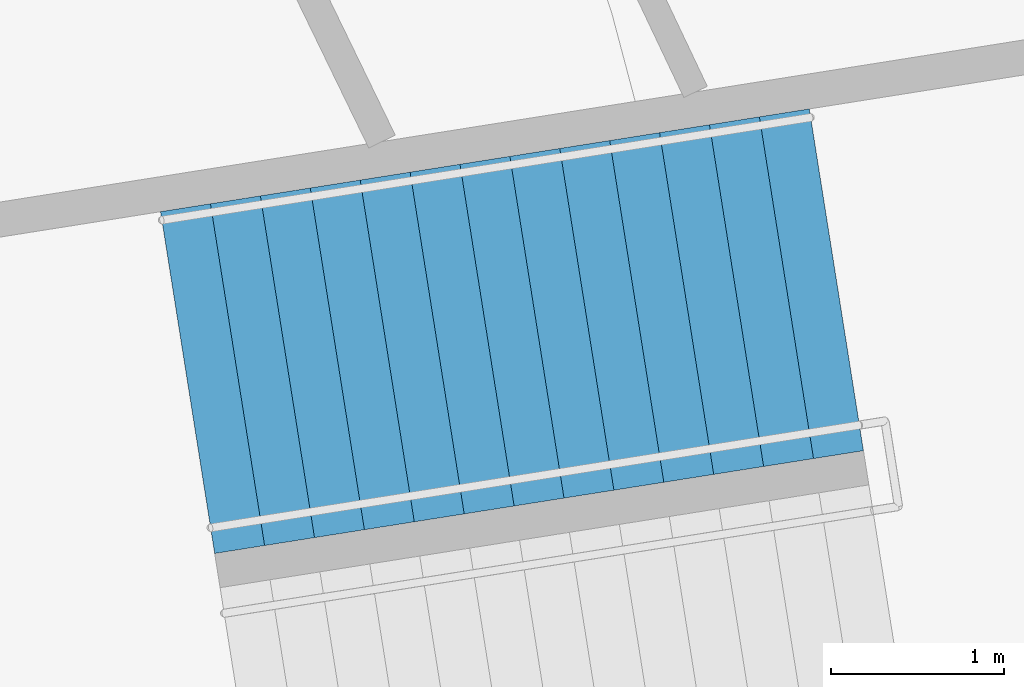
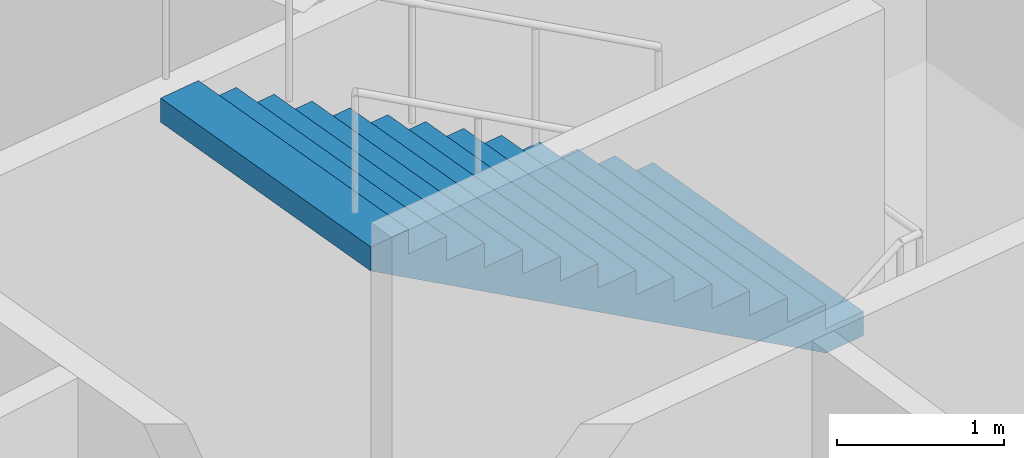
# One storey, part 28 of 31: 1 stair flight, 1 element without a shape of its own.
"""IFC4 building model written with IfcOpenShell, lengths in metres."""

from ifc_helpers import new_model, si_unit, direction, frame, origin, place, context, subcontext, project, spatial, polyline, outline, extrude, material, type_object, element, aggregate, save


model = new_model("IFC4")

# Units and contexts
model_context = context("Model", 3, precision=1e-05, world=origin(), true_north=direction((0.0, 1.0)))
body_context = subcontext(model_context, "Body", "Model", "MODEL_VIEW")
ifc_project = project(units=[si_unit("LENGTHUNIT", "METRE"), si_unit("AREAUNIT", "SQUARE_METRE"), si_unit("VOLUMEUNIT", "CUBIC_METRE"), si_unit("PLANEANGLEUNIT", "RADIAN"), si_unit("MASSUNIT", "GRAM", prefix="KILO")], contexts=[model_context])

# Site, building, storey
site_placement = place(None, origin())
site = spatial("IfcSite", under=ifc_project, at=site_placement, CompositionType="ELEMENT")
building_placement = place(site_placement, origin())
building = spatial("IfcBuilding", under=site, at=building_placement, Name="Marramba Exchange Tower", CompositionType="ELEMENT")
storey_placement = place(building_placement, frame((0.0, 0.0, 5.60009765625)))
storey = spatial("IfcBuildingStorey", under=building, at=storey_placement, Name="L01", CompositionType="ELEMENT", Elevation=5.60009765625)

# Stair, stair flight
ifc_material = material(Name="Concrete N40 (40 MPa)", Category="concrete")
stair_type = type_object("IfcStairType", Name="Exit stair ST4 5000 x 2000", PredefinedType="HALF_TURN_STAIR", material=ifc_material)
stair_placement = place(storey_placement, origin())
stair = element("IfcStair", 1, at=stair_placement, inside=storey, type_object=stair_type, Name="Exit stair ST4 L01", PredefinedType="HALF_TURN_STAIR")
stair_flight_type = type_object("IfcStairFlightType", Name="ST4 stair flight 1786 riser 2000 wide", PredefinedType="STRAIGHT", material=ifc_material)
stair_flight_placement = place(storey_placement, frame((27.479248046875, 5.466064453125, 2.5), z_axis=(0.0, 0.0, 1.0), x_axis=(-0.987688340595, -0.15643446504, 0.0)))
stair_flight = element("IfcStairFlight", 2, at=stair_flight_placement, type_object=stair_flight_type, Name="ST4 flight 2", NumberOfRisers=14, NumberOfTreads=13, PredefinedType="STRAIGHT", RiserHeight=0.178571429, TreadLength=0.292, context=body_context, shape_type="SweptSolid", body=[
    extrude(outline(polyline([(0.0, 0.0), (0.0, 0.178466796875), (0.2919921875, 0.178466796875), (0.2919921875, 0.357177734375), (0.583984375, 0.357177734375), (0.583984375, 0.53564453125), (0.8759765625, 0.53564453125), (0.8759765625, 0.71435546875), (1.16796875, 0.71435546875), (1.16796875, 0.892822265625), (1.4599609375, 0.892822265625), (1.4599609375, 1.071533203125), (1.751953125, 1.071533203125), (1.751953125, 1.25), (2.0439453125, 1.25), (2.0439453125, 1.428466796875), (2.3359375, 1.428466796875), (2.3359375, 1.607177734375), (2.6279296875, 1.607177734375), (2.6279296875, 1.78564453125), (2.919921875, 1.78564453125), (2.919921875, 1.96435546875), (3.2119140625, 1.96435546875), (3.2119140625, 2.142822265625), (3.50390625, 2.142822265625), (3.50390625, 2.321533203125), (3.7958984375, 2.321533203125), (3.7958984375, 2.5), (3.7958984375, 2.145751953125), (0.287353515625, 0.0), (0.0, 0.0)])), frame((0.0, 1.0, 0.0), z_axis=(0.0, -1.0, 0.0), x_axis=(1.0, 0.0, 0.0)), (0.0, 0.0, 1.0), 2.0),
])
aggregate(stair, [stair_flight])

save(model, "model.ifc")
